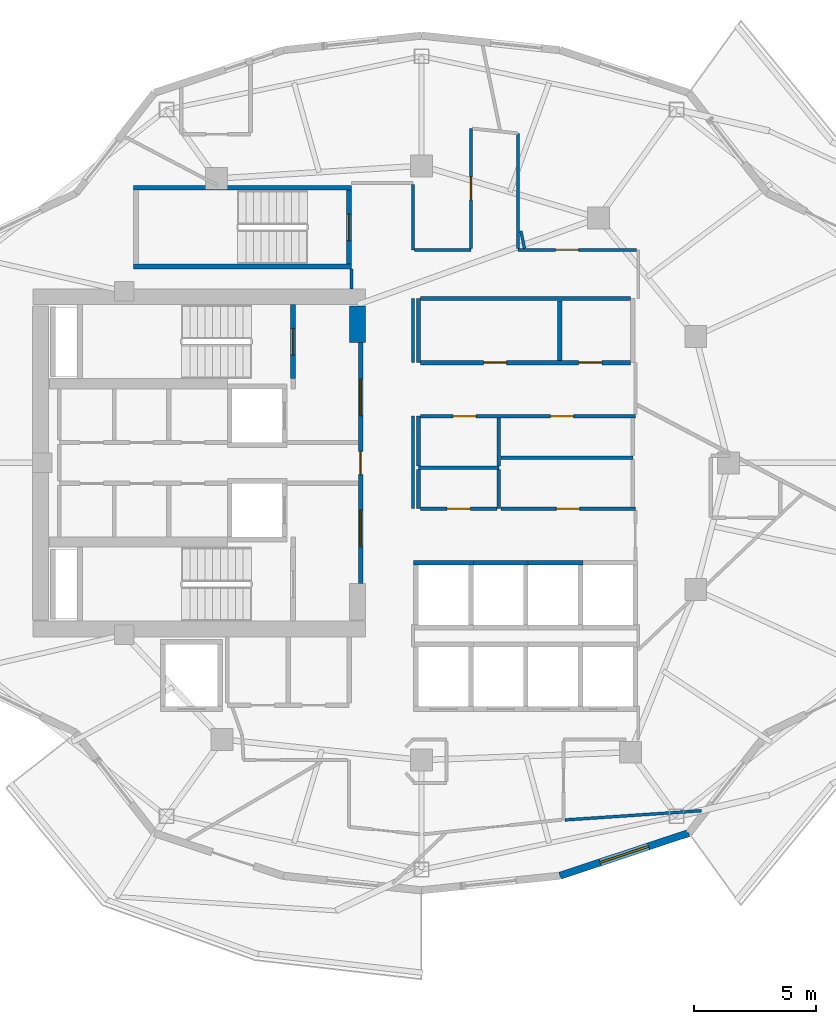
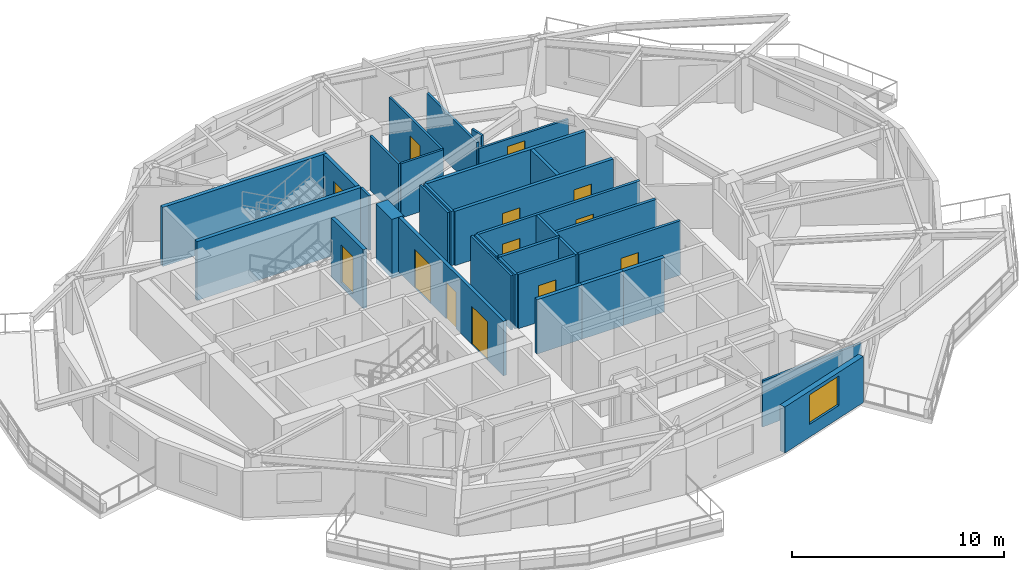
# One storey, part 5 of 10: 33 walls, 13 doors, 1 window, 14 openings.
"""IFC4 building model written with IfcOpenShell, lengths in metres."""

from ifc_helpers import new_model, si_unit, direction, frame, frame_2d, origin, place, context, subcontext, project, spatial, rectangle, extrude, material, layer, layer_set, type_object, element, fill, save


model = new_model("IFC4")

# Units and contexts
model_context = context("Model", 3, precision=1e-05, world=origin(), true_north=direction((0.0, 1.0)))
body_context = subcontext(model_context, "Body", "Model", "MODEL_VIEW")
ifc_project = project(units=[si_unit("LENGTHUNIT", "METRE"), si_unit("AREAUNIT", "SQUARE_METRE"), si_unit("VOLUMEUNIT", "CUBIC_METRE"), si_unit("PLANEANGLEUNIT", "RADIAN"), si_unit("MASSUNIT", "GRAM", prefix="KILO")], contexts=[model_context])

# Site, building, storey
site_placement = place(None, origin())
site = spatial("IfcSite", under=ifc_project, at=site_placement, CompositionType="ELEMENT")
building_placement = place(site_placement, origin())
building = spatial("IfcBuilding", under=site, at=building_placement, Name="Kolvaren Gate Tower and Convention Centre", CompositionType="ELEMENT")
storey_placement = place(building_placement, frame((0.0, 0.0, 152.89990234375)))
storey = spatial("IfcBuildingStorey", under=building, at=storey_placement, Name="L39", CompositionType="ELEMENT", Elevation=152.89990234375)

# Wall, openings, doors
ifc_material_1 = material(Name="Autoclaved Aerated Masonry Blockwork Class 4 (4.0 MPa)", Category="masonry")
ifc_layer_1 = layer(ifc_material_1, 0.179931640625)
ifc_layer_set_1 = layer_set([ifc_layer_1], Name="Autoclaved Aerated Masonry Blockwork Class 4 (4.0 MPa)")
wall_type_1 = type_object("IfcWallType", Name="ARCH-WL-COMP-180", PredefinedType="SOLIDWALL", material=ifc_layer_set_1)
wall_1_placement = place(storey_placement, frame((27.6201171875, 22.050048828125, 0.0), z_axis=(0.0, 0.0, 1.0), x_axis=(0.0, 1.0, 0.0)))
wall_1 = element("IfcWall", 1, at=wall_1_placement, inside=storey, type_object=wall_type_1, Name="Interior Partition WL-L39-INT-003", PredefinedType="SOLIDWALL", context=body_context, shape_type="SweptSolid", body=[
    extrude(rectangle(XDim=9.89990234375, YDim=0.179931640625, at=frame_2d((4.949951171875, 0.0))), origin(), (0.0, 0.0, 1.0), 3.130126953125),
])
opening_1_placement = place(wall_1_placement, frame((4.47509765625, 0.0, 0.0)))
opening_1 = element("IfcOpeningElement", 2, at=opening_1_placement, cuts=wall_1, Name="Opening DR-01", PredefinedType="OPENING", context=body_context, shape_type="SweptSolid", body=[
    extrude(rectangle(XDim=0.949951171875, YDim=2.10009765625, at=frame_2d((0.47509765625, 1.050048828125))), frame((0.0, 0.099853515625, 0.0), z_axis=(0.0, -1.0, 0.0), x_axis=(1.0, 0.0, 0.0)), (0.0, 0.0, 1.0), 0.199951171875),
])
opening_2_placement = place(wall_1_placement, frame((6.889892578125, 0.0, 0.0)))
opening_2 = element("IfcOpeningElement", 3, at=opening_2_placement, cuts=wall_1, Name="Opening DL-01", PredefinedType="OPENING", context=body_context, shape_type="SweptSolid", body=[
    extrude(rectangle(XDim=1.5, YDim=2.199951171875, at=frame_2d((0.75, 1.10009765625))), frame((0.0, 0.099853515625, 0.0), z_axis=(0.0, -1.0, 0.0), x_axis=(1.0, 0.0, 0.0)), (0.0, 0.0, 1.0), 0.199951171875),
])
opening_3_placement = place(wall_1_placement, frame((1.510009765625, 0.0, 0.0)))
opening_3 = element("IfcOpeningElement", 4, at=opening_3_placement, cuts=wall_1, Name="Opening DL-01", PredefinedType="OPENING", context=body_context, shape_type="SweptSolid", body=[
    extrude(rectangle(XDim=1.5, YDim=2.199951171875, at=frame_2d((0.75, 1.10009765625))), frame((0.0, 0.099853515625, 0.0), z_axis=(0.0, -1.0, 0.0), x_axis=(1.0, 0.0, 0.0)), (0.0, 0.0, 1.0), 0.199951171875),
])
ifc_material_2 = material(Name="Painted Architectural Steelwork ASTM A500 Grade C 345 MPa", Category="steel")
door_type_1 = type_object("IfcDoorType", Name="ARCH-DR-LOBBY-1500", OperationType="DOUBLE_DOOR_SINGLE_SWING", PredefinedType="DOOR", material=ifc_material_2)
door_1_placement = place(opening_2_placement, origin())
door_1 = element("IfcDoor", 5, at=door_1_placement, inside=storey, type_object=door_type_1, Name="North Firefighting Stair and Lift Lobby Door", OperationType="DOUBLE_DOOR_SINGLE_SWING", OverallHeight=2.199951171875, OverallWidth=1.5, PredefinedType="DOOR", context=body_context, shape_type="SweptSolid", body=[
    extrude(rectangle(XDim=1.5, YDim=2.199951171875, at=frame_2d((0.75, 1.10009765625))), frame((0.0, 0.02490234375, 0.0), z_axis=(0.0, -1.0, 0.0), x_axis=(1.0, 0.0, 0.0)), (0.0, 0.0, 1.0), 0.050048828125),
])
fill(opening_2, door_1)
door_2_placement = place(opening_3_placement, origin())
door_2 = element("IfcDoor", 6, at=door_2_placement, inside=storey, type_object=door_type_1, Name="South Firefighting Stair and Lift Lobby Door", OperationType="DOUBLE_DOOR_SINGLE_SWING", OverallHeight=2.199951171875, OverallWidth=1.5, PredefinedType="DOOR", context=body_context, shape_type="SweptSolid", body=[
    extrude(rectangle(XDim=1.5, YDim=2.199951171875, at=frame_2d((0.75, 1.10009765625))), frame((0.0, 0.02490234375, 0.0), z_axis=(0.0, -1.0, 0.0), x_axis=(1.0, 0.0, 0.0)), (0.0, 0.0, 1.0), 0.050048828125),
])
fill(opening_3, door_2)
door_type_2 = type_object("IfcDoorType", Name="ARCH-DR-RISER-950", OperationType="SINGLE_SWING_RIGHT", PredefinedType="DOOR", material=ifc_material_2)
door_3_placement = place(opening_1_placement, origin())
door_3 = element("IfcDoor", 7, at=door_3_placement, inside=storey, type_object=door_type_2, Name="Central MEP Service Corridor Door", OperationType="SINGLE_SWING_LEFT", OverallHeight=2.10009765625, OverallWidth=0.949951171875, PredefinedType="DOOR", context=body_context, shape_type="SweptSolid", body=[
    extrude(rectangle(XDim=0.949951171875, YDim=2.10009765625, at=frame_2d((0.47509765625, 1.050048828125))), frame((0.0, 0.02490234375, 0.0), z_axis=(0.0, -1.0, 0.0), x_axis=(1.0, 0.0, 0.0)), (0.0, 0.0, 1.0), 0.050048828125),
])
fill(opening_1, door_3)

wall_2_placement = place(storey_placement, frame((30.076904296875, 31.1201171875, 0.0), z_axis=(0.0, 0.0, 1.0), x_axis=(1.0, 0.0, 0.0)))
wall_2 = element("IfcWall", 8, at=wall_2_placement, inside=storey, type_object=wall_type_1, Name="Interior Partition WL-L39-INT-025", PredefinedType="SOLIDWALL", context=body_context, shape_type="SweptSolid", body=[
    extrude(rectangle(XDim=8.631103515625, YDim=0.179931640625, at=frame_2d((4.3154296875, 0.0))), origin(), (0.0, 0.0, 1.0), 3.130126953125),
])
opening_4_placement = place(wall_2_placement, frame((2.591552734375, 0.0, 0.0)))
opening_4 = element("IfcOpeningElement", 9, at=opening_4_placement, cuts=wall_2, Name="Opening DR-01", PredefinedType="OPENING", context=body_context, shape_type="SweptSolid", body=[
    extrude(rectangle(XDim=0.949951171875, YDim=2.10009765625, at=frame_2d((0.47509765625, 1.050048828125))), frame((0.0, 0.099853515625, 0.0), z_axis=(0.0, -1.0, 0.0), x_axis=(1.0, 0.0, 0.0)), (0.0, 0.0, 1.0), 0.199951171875),
])
opening_5_placement = place(wall_2_placement, frame((6.4970703125, 0.0, 0.0)))
opening_5 = element("IfcOpeningElement", 10, at=opening_5_placement, cuts=wall_2, Name="Opening DR-01", PredefinedType="OPENING", context=body_context, shape_type="SweptSolid", body=[
    extrude(rectangle(XDim=0.949951171875, YDim=2.10009765625, at=frame_2d((0.47509765625, 1.050048828125))), frame((0.0, 0.099853515625, 0.0), z_axis=(0.0, -1.0, 0.0), x_axis=(1.0, 0.0, 0.0)), (0.0, 0.0, 1.0), 0.199951171875),
])
door_4_placement = place(opening_4_placement, origin())
door_4 = element("IfcDoor", 11, at=door_4_placement, inside=storey, type_object=door_type_2, Name="Steward Supply Store Door", OperationType="SINGLE_SWING_RIGHT", OverallHeight=2.10009765625, OverallWidth=0.949951171875, PredefinedType="DOOR", context=body_context, shape_type="SweptSolid", body=[
    extrude(rectangle(XDim=0.949951171875, YDim=2.10009765625, at=frame_2d((0.47509765625, 1.050048828125))), frame((0.0, 0.02490234375, 0.0), z_axis=(0.0, -1.0, 0.0), x_axis=(1.0, 0.0, 0.0)), (0.0, 0.0, 1.0), 0.050048828125),
])
fill(opening_4, door_4)
door_5_placement = place(opening_5_placement, origin())
door_5 = element("IfcDoor", 12, at=door_5_placement, inside=storey, type_object=door_type_2, Name="Floor Telecom Switch Room Door", OperationType="SINGLE_SWING_LEFT", OverallHeight=2.10009765625, OverallWidth=0.949951171875, PredefinedType="DOOR", context=body_context, shape_type="SweptSolid", body=[
    extrude(rectangle(XDim=0.949951171875, YDim=2.10009765625, at=frame_2d((0.47509765625, 1.050048828125))), frame((0.0, 0.02490234375, 0.0), z_axis=(0.0, -1.0, 0.0), x_axis=(1.0, 0.0, 0.0)), (0.0, 0.0, 1.0), 0.050048828125),
])
fill(opening_5, door_5)

# Walls
wall_3_placement = place(storey_placement, frame((30.076904296875, 33.75, 0.0), z_axis=(0.0, 0.0, 1.0), x_axis=(1.0, 0.0, 0.0)))
element("IfcWall", 13, at=wall_3_placement, inside=storey, type_object=wall_type_1, Name="Interior Partition WL-L39-INT-026", PredefinedType="SOLIDWALL", context=body_context, shape_type="SweptSolid", body=[
    extrude(rectangle(XDim=8.631103515625, YDim=0.179931640625, at=frame_2d((4.3154296875, 0.0))), origin(), (0.0, 0.0, 1.0), 3.130126953125),
])
wall_4_placement = place(storey_placement, frame((35.800048828125, 31.2119140625, 0.0), z_axis=(0.0, 0.0, 1.0), x_axis=(0.0, 1.0, 0.0)))
element("IfcWall", 14, at=wall_4_placement, inside=storey, type_object=wall_type_1, Name="Interior Partition WL-L39-INT-027", PredefinedType="SOLIDWALL", context=body_context, shape_type="SweptSolid", body=[
    extrude(rectangle(XDim=2.446044921875, YDim=0.179931640625, at=frame_2d((1.22314453125, 0.0))), origin(), (0.0, 0.0, 1.0), 3.130126953125),
])
ifc_material_3 = material(Name="Fire-Rated Acoustic Gypsum Stud Partition", Category="gypsum")
ifc_layer_2 = layer(ifc_material_3, 0.1201171875)
ifc_layer_set_2 = layer_set([ifc_layer_2], Name="Fire-Rated Acoustic Gypsum Stud Partition")
wall_type_2 = type_object("IfcWallType", Name="ARCH-WL-PART-120", PredefinedType="PARTITIONING", material=ifc_layer_set_2)
wall_5_placement = place(storey_placement, frame((27.25, 34.152099609375, 0.0), z_axis=(0.0, 0.0, 1.0), x_axis=(0.0, 1.0, 0.0)))
element("IfcWall", 15, at=wall_5_placement, inside=storey, type_object=wall_type_2, Name="Interior Partition WL-L39-INT-038", PredefinedType="PARTITIONING", context=body_context, shape_type="SweptSolid", body=[
    extrude(rectangle(XDim=0.805908203125, YDim=0.1201171875, at=frame_2d((0.40283203125, 0.0))), origin(), (0.0, 0.0, 1.0), 3.130126953125),
])
wall_6_placement = place(storey_placement, frame((29.780029296875, 25.1201171875, 0.0), z_axis=(0.0, 0.0, 1.0), x_axis=(0.0, 1.0, 0.0)))
element("IfcWall", 16, at=wall_6_placement, inside=storey, type_object=wall_type_2, Name="Interior Partition WL-L39-INT-041", PredefinedType="PARTITIONING", context=body_context, shape_type="SweptSolid", body=[
    extrude(rectangle(XDim=3.7998046875, YDim=0.1201171875, at=frame_2d((1.89990234375, 0.0))), origin(), (0.0, 0.0, 1.0), 3.130126953125),
])
wall_7_placement = place(storey_placement, frame((29.780029296875, 31.1201171875, 0.0), z_axis=(0.0, 0.0, 1.0), x_axis=(0.0, 1.0, 0.0)))
element("IfcWall", 17, at=wall_7_placement, inside=storey, type_object=wall_type_2, Name="Interior Partition WL-L39-INT-042", PredefinedType="PARTITIONING", context=body_context, shape_type="SweptSolid", body=[
    extrude(rectangle(XDim=2.6298828125, YDim=0.1201171875, at=frame_2d((1.31494140625, 0.0))), origin(), (0.0, 0.0, 1.0), 3.130126953125),
])
wall_8_placement = place(storey_placement, frame((29.780029296875, 35.75, 0.0), z_axis=(0.0, 0.0, 1.0), x_axis=(0.0, 1.0, 0.0)))
element("IfcWall", 18, at=wall_8_placement, inside=storey, type_object=wall_type_2, Name="Interior Partition WL-L39-INT-043", PredefinedType="PARTITIONING", context=body_context, shape_type="SweptSolid", body=[
    extrude(rectangle(XDim=2.68798828125, YDim=0.1201171875, at=frame_2d((1.343994140625, 0.0))), origin(), (0.0, 0.0, 1.0), 3.130126953125),
])
wall_9_placement = place(storey_placement, frame((29.842041015625, 35.75, 0.0), z_axis=(0.0, 0.0, 1.0), x_axis=(1.0, 0.0, 0.0)))
element("IfcWall", 19, at=wall_9_placement, inside=storey, type_object=wall_type_2, Name="Interior Partition WL-L39-INT-044", PredefinedType="PARTITIONING", context=body_context, shape_type="SweptSolid", body=[
    extrude(rectangle(XDim=2.307861328125, YDim=0.1201171875, at=frame_2d((1.15380859375, 0.0))), origin(), (0.0, 0.0, 1.0), 3.130126953125),
])

# Wall, opening, door
wall_10_placement = place(storey_placement, frame((34.080078125, 35.75, 0.0), z_axis=(0.0, 0.0, 1.0), x_axis=(1.0, 0.0, 0.0)))
wall_10 = element("IfcWall", 20, at=wall_10_placement, inside=storey, type_object=wall_type_2, Name="Interior Partition WL-L39-INT-045", PredefinedType="PARTITIONING", context=body_context, shape_type="SweptSolid", body=[
    extrude(rectangle(XDim=4.8779296875, YDim=0.1201171875, at=frame_2d((2.43896484375, 0.0))), origin(), (0.0, 0.0, 1.0), 2.505126953125),
])
opening_6_placement = place(wall_10_placement, frame((1.5439453125, 0.0, 0.0)))
opening_6 = element("IfcOpeningElement", 21, at=opening_6_placement, cuts=wall_10, Name="Opening DR-01", PredefinedType="OPENING", context=body_context, shape_type="SweptSolid", body=[
    extrude(rectangle(XDim=0.949951171875, YDim=2.10009765625, at=frame_2d((0.47509765625, 1.050048828125))), frame((0.0, 0.070068359375, 0.0), z_axis=(0.0, -1.0, 0.0), x_axis=(1.0, 0.0, 0.0)), (0.0, 0.0, 1.0), 0.14013671875),
])
door_6_placement = place(opening_6_placement, origin())
door_6 = element("IfcDoor", 22, at=door_6_placement, inside=storey, type_object=door_type_2, Name="Hotel Botanical Clubroom Door", OperationType="SINGLE_SWING_LEFT", OverallHeight=2.10009765625, OverallWidth=0.949951171875, PredefinedType="DOOR", context=body_context, shape_type="SweptSolid", body=[
    extrude(rectangle(XDim=0.949951171875, YDim=2.10009765625, at=frame_2d((0.47509765625, 1.050048828125))), frame((0.0, 0.02490234375, 0.0), z_axis=(0.0, -1.0, 0.0), x_axis=(1.0, 0.0, 0.0)), (0.0, 0.0, 1.0), 0.050048828125),
])
fill(opening_6, door_6)

wall_11_placement = place(storey_placement, frame((32.14990234375, 35.81201171875, 0.0), z_axis=(0.0, 0.0, 1.0), x_axis=(0.0, 1.0, 0.0)))
wall_11 = element("IfcWall", 23, at=wall_11_placement, inside=storey, type_object=wall_type_2, Name="Interior Partition WL-L39-INT-046", PredefinedType="PARTITIONING", context=body_context, shape_type="SweptSolid", body=[
    extrude(rectangle(XDim=4.925048828125, YDim=0.1201171875, at=frame_2d((2.46240234375, 0.0))), origin(), (0.0, 0.0, 1.0), 3.130126953125),
])
opening_7_placement = place(wall_11_placement, frame((1.987548828125, 0.0, 0.0)))
opening_7 = element("IfcOpeningElement", 24, at=opening_7_placement, cuts=wall_11, Name="Opening DR-01", PredefinedType="OPENING", context=body_context, shape_type="SweptSolid", body=[
    extrude(rectangle(XDim=0.949951171875, YDim=2.10009765625, at=frame_2d((0.47509765625, 1.050048828125))), frame((0.0, 0.070068359375, 0.0), z_axis=(0.0, -1.0, 0.0), x_axis=(1.0, 0.0, 0.0)), (0.0, 0.0, 1.0), 0.14013671875),
])
door_7_placement = place(opening_7_placement, origin())
door_7 = element("IfcDoor", 25, at=door_7_placement, inside=storey, type_object=door_type_2, Name="Hotel Guest Room (HTL-L39-07) Door", OperationType="SINGLE_SWING_RIGHT", OverallHeight=2.10009765625, OverallWidth=0.949951171875, PredefinedType="DOOR", context=body_context, shape_type="SweptSolid", body=[
    extrude(rectangle(XDim=0.949951171875, YDim=2.10009765625, at=frame_2d((0.47509765625, 1.050048828125))), frame((0.0, 0.02490234375, 0.0), z_axis=(0.0, -1.0, 0.0), x_axis=(1.0, 0.0, 0.0)), (0.0, 0.0, 1.0), 0.050048828125),
])
fill(opening_7, door_7)

# Walls
wall_12_placement = place(storey_placement, frame((34.080078125, 35.81201171875, 0.0), z_axis=(0.0, 0.0, 1.0), x_axis=(0.0, 1.0, 0.0)))
element("IfcWall", 26, at=wall_12_placement, inside=storey, type_object=wall_type_2, Name="Interior Partition WL-L39-INT-048", PredefinedType="PARTITIONING", context=body_context, shape_type="SweptSolid", body=[
    extrude(rectangle(XDim=4.721923828125, YDim=0.1201171875, at=frame_2d((2.36083984375, 0.0))), origin(), (0.0, 0.0, 1.0), 2.81201171875),
])
wall_13_placement = place(storey_placement, frame((36.011962890625, 12.34033203125, 0.0), z_axis=(0.0, 0.0, 1.0), x_axis=(0.997733146572, 0.067294637466, 0.0)))
element("IfcWall", 27, at=wall_13_placement, inside=storey, type_object=wall_type_2, Name="Interior Partition WL-L39-INT-060", PredefinedType="PARTITIONING", context=body_context, shape_type="SweptSolid", body=[
    extrude(rectangle(XDim=5.61962890625, YDim=0.1201171875, at=frame_2d((2.809814453125, 0.0))), origin(), (0.0, 0.0, 1.0), 2.653076171875),
])
wall_14_placement = place(storey_placement, frame((34.201904296875, 36.520751953125, 0.0), z_axis=(0.0, 0.0, 1.0), x_axis=(0.202081256143, -0.979368758903, 0.0)))
element("IfcWall", 28, at=wall_14_placement, inside=storey, type_object=wall_type_2, Name="Interior Partition WL-L39-INT-066", PredefinedType="PARTITIONING", context=body_context, shape_type="SweptSolid", body=[
    extrude(rectangle(XDim=0.7236328125, YDim=0.1201171875, at=frame_2d((0.36181640625, 0.0))), origin(), (0.0, 0.0, 1.0), 3.130126953125),
])
ifc_layer_3 = layer(ifc_material_1, 0.199951171875)
ifc_layer_set_3 = layer_set([ifc_layer_3], Name="Autoclaved Aerated Masonry Blockwork Class 4 (4.0 MPa)")
wall_type_3 = type_object("IfcWallType", Name="ARCH-WL-SHAFT-200", PredefinedType="SOLIDWALL", material=ifc_layer_set_3)
wall_15_placement = place(storey_placement, frame((29.800048828125, 22.89990234375, 0.0), z_axis=(0.0, 0.0, 1.0), x_axis=(1.0, 0.0, 0.0)))
element("IfcWall", 29, at=wall_15_placement, inside=storey, type_object=wall_type_3, Name="Elevator PL-09 L39 Fire Shaft Wall N", PredefinedType="SOLIDWALL", context=body_context, shape_type="SweptSolid", body=[
    extrude(rectangle(XDim=2.449951171875, YDim=0.199951171875, at=frame_2d((1.22509765625, 0.0))), origin(), (0.0, 0.0, 1.0), 3.130126953125),
])
for number, where, z_axis, x_axis, name in (
    (30, (32.25, 22.89990234375, 0.0), (0.0, 0.0, 1.0), (1.0, 0.0, 0.0), "Elevator PL-10 L39 Fire Shaft Wall N"),
    (31, (34.5, 22.89990234375, 0.0), (0.0, 0.0, 1.0), (1.0, 0.0, 0.0), "Elevator PL-11 L39 Fire Shaft Wall N"),
):
    element("IfcWall", number, at=place(storey_placement, frame(where, z_axis=z_axis, x_axis=x_axis)), inside=storey, type_object=wall_type_3, Name=name, PredefinedType="SOLIDWALL", context=body_context, shape_type="SweptSolid", body=[
        extrude(rectangle(XDim=2.25, YDim=0.199951171875, at=frame_2d((1.125, 0.0))), origin(), (0.0, 0.0, 1.0), 3.130126953125),
    ])

# Wall, opening, window
ifc_material_4 = material(Name="Piedmont Cream Honed Limestone Cladding", Category="masonry")
ifc_layer_4 = layer(ifc_material_4, 0.300048828125)
ifc_layer_set_4 = layer_set([ifc_layer_4], Name="Piedmont Cream Honed Limestone Cladding")
wall_type_4 = type_object("IfcWallType", Name="ARCH-WL-STONE-300", PredefinedType="SOLIDWALL", material=ifc_layer_set_4)
wall_16_placement = place(storey_placement, frame((35.802734375, 10.048095703125, 0.0), z_axis=(0.0, 0.0, 1.0), x_axis=(0.949246811547, 0.314532177636, 0.0)))
wall_16 = element("IfcWall", 32, at=wall_16_placement, inside=storey, type_object=wall_type_4, Name="Tower L39 Honed Stone Spandrel Wall EW-19", PredefinedType="SOLIDWALL", context=body_context, shape_type="SweptSolid", body=[
    extrude(rectangle(XDim=5.573974609375, YDim=0.300048828125, at=frame_2d((2.787109375, 0.0))), origin(), (0.0, 0.0, 1.0), 2.653076171875),
])
opening_8_placement = place(wall_16_placement, frame((1.737060546875, 0.0, 0.739990234375)))
opening_8 = element("IfcOpeningElement", 33, at=opening_8_placement, cuts=wall_16, Name="Opening W-02", PredefinedType="OPENING", context=body_context, shape_type="SweptSolid", body=[
    extrude(rectangle(XDim=2.10009765625, YDim=1.699951171875, at=frame_2d((1.050048828125, 0.85009765625))), frame((0.0, 0.159912109375, 0.0), z_axis=(0.0, -1.0, 0.0), x_axis=(1.0, 0.0, 0.0)), (0.0, 0.0, 1.0), 0.320068359375),
])
ifc_material_5 = material(Name="Low-E Triple Insulated Glazing Unit 44 mm", Category="glass")
window_type = type_object("IfcWindowType", Name="ARCH-WN-HTL-2100", PartitioningType="SINGLE_PANEL", PredefinedType="WINDOW", material=ifc_material_5)
window_placement = place(opening_8_placement, origin())
window = element("IfcWindow", 34, at=window_placement, inside=storey, type_object=window_type, Name="Tower L39 Punched Stone Facade Window W-19", OverallHeight=1.699951171875, OverallWidth=2.10009765625, PartitioningType="SINGLE_PANEL", PredefinedType="WINDOW", context=body_context, shape_type="SweptSolid", body=[
    extrude(rectangle(XDim=2.10009765625, YDim=1.699951171875, at=frame_2d((1.050048828125, 0.85009765625))), frame((0.0, 0.030029296875, 0.0), z_axis=(0.0, -1.0, 0.0), x_axis=(1.0, 0.0, 0.0)), (0.0, 0.0, 1.0), 0.06005859375),
])
fill(opening_8, window)

# Walls
ifc_material_6 = material(Name="Moisture-Resistant Cement-Board Acoustic Partition", Category="gypsum")
ifc_layer_5 = layer(ifc_material_6, 0.14990234375)
ifc_layer_set_5 = layer_set([ifc_layer_5], Name="Moisture-Resistant Cement-Board Acoustic Partition")
wall_type_5 = type_object("IfcWallType", Name="ARCH-WL-WET-150", PredefinedType="PARTITIONING", material=ifc_layer_set_5)
wall_17_placement = place(storey_placement, frame((30.0, 26.800048828125, 0.0), z_axis=(0.0, 0.0, 1.0), x_axis=(1.0, 0.0, 0.0)))
element("IfcWall", 35, at=wall_17_placement, inside=storey, type_object=wall_type_5, Name="Interior Partition WL-L39-INT-016", PredefinedType="PARTITIONING", context=body_context, shape_type="SweptSolid", body=[
    extrude(rectangle(XDim=3.300048828125, YDim=0.14990234375, at=frame_2d((1.64990234375, 0.0))), origin(), (0.0, 0.0, 1.0), 3.130126953125),
])
wall_18_placement = place(storey_placement, frame((30.0, 25.1201171875, 0.0), z_axis=(0.0, 0.0, 1.0), x_axis=(0.0, 1.0, 0.0)))
element("IfcWall", 36, at=wall_18_placement, inside=storey, type_object=wall_type_5, Name="Interior Partition WL-L39-INT-017", PredefinedType="PARTITIONING", context=body_context, shape_type="SweptSolid", body=[
    extrude(rectangle(XDim=1.602783203125, YDim=0.14990234375, at=frame_2d((0.80126953125, 0.0))), origin(), (0.0, 0.0, 1.0), 3.130126953125),
])
wall_19_placement = place(storey_placement, frame((30.0, 26.876953125, 0.0), z_axis=(0.0, 0.0, 1.0), x_axis=(0.0, 1.0, 0.0)))
element("IfcWall", 37, at=wall_19_placement, inside=storey, type_object=wall_type_5, Name="Interior Partition WL-L39-INT-017 (2)", PredefinedType="PARTITIONING", context=body_context, shape_type="SweptSolid", body=[
    extrude(rectangle(XDim=2.04296875, YDim=0.14990234375, at=frame_2d((1.021484375, 0.0))), origin(), (0.0, 0.0, 1.0), 3.130126953125),
])
wall_20_placement = place(storey_placement, frame((30.0, 31.1201171875, 0.0), z_axis=(0.0, 0.0, 1.0), x_axis=(0.0, 1.0, 0.0)))
element("IfcWall", 38, at=wall_20_placement, inside=storey, type_object=wall_type_5, Name="Interior Partition WL-L39-INT-018", PredefinedType="PARTITIONING", context=body_context, shape_type="SweptSolid", body=[
    extrude(rectangle(XDim=2.6298828125, YDim=0.14990234375, at=frame_2d((1.31494140625, 0.0))), origin(), (0.0, 0.0, 1.0), 3.130126953125),
])

# Wall, openings, doors
wall_21_placement = place(storey_placement, frame((30.076904296875, 28.919921875, 0.0), z_axis=(0.0, 0.0, 1.0), x_axis=(1.0, 0.0, 0.0)))
wall_21 = element("IfcWall", 39, at=wall_21_placement, inside=storey, type_object=wall_type_5, Name="Interior Partition WL-L39-INT-019", PredefinedType="PARTITIONING", context=body_context, shape_type="SweptSolid", body=[
    extrude(rectangle(XDim=8.822998046875, YDim=0.14990234375, at=frame_2d((4.41162109375, 0.0))), origin(), (0.0, 0.0, 1.0), 3.130126953125),
])
opening_9_placement = place(wall_21_placement, frame((1.341552734375, 0.0, 0.0)))
opening_9 = element("IfcOpeningElement", 40, at=opening_9_placement, cuts=wall_21, Name="Opening DR-01", PredefinedType="OPENING", context=body_context, shape_type="SweptSolid", body=[
    extrude(rectangle(XDim=0.949951171875, YDim=2.10009765625, at=frame_2d((0.47509765625, 1.050048828125))), frame((0.0, 0.0849609375, 0.0), z_axis=(0.0, -1.0, 0.0), x_axis=(1.0, 0.0, 0.0)), (0.0, 0.0, 1.0), 0.169921875),
])
opening_10_placement = place(wall_21_placement, frame((5.343017578125, 0.0, 0.0)))
opening_10 = element("IfcOpeningElement", 41, at=opening_10_placement, cuts=wall_21, Name="Opening DR-01", PredefinedType="OPENING", context=body_context, shape_type="SweptSolid", body=[
    extrude(rectangle(XDim=0.949951171875, YDim=2.10009765625, at=frame_2d((0.47509765625, 1.050048828125))), frame((0.0, 0.0849609375, 0.0), z_axis=(0.0, -1.0, 0.0), x_axis=(1.0, 0.0, 0.0)), (0.0, 0.0, 1.0), 0.169921875),
])
door_8_placement = place(opening_9_placement, origin())
door_8 = element("IfcDoor", 42, at=door_8_placement, inside=storey, type_object=door_type_2, Name="Accessible North Washroom Door", OperationType="SINGLE_SWING_RIGHT", OverallHeight=2.10009765625, OverallWidth=0.949951171875, PredefinedType="DOOR", context=body_context, shape_type="SweptSolid", body=[
    extrude(rectangle(XDim=0.949951171875, YDim=2.10009765625, at=frame_2d((0.47509765625, 1.050048828125))), frame((0.0, 0.02490234375, 0.0), z_axis=(0.0, -1.0, 0.0), x_axis=(1.0, 0.0, 0.0)), (0.0, 0.0, 1.0), 0.050048828125),
])
fill(opening_9, door_8)
door_9_placement = place(opening_10_placement, origin())
door_9 = element("IfcDoor", 43, at=door_9_placement, inside=storey, type_object=door_type_2, Name="Hotel Housekeeping and Linen Store Door", OperationType="SINGLE_SWING_RIGHT", OverallHeight=2.10009765625, OverallWidth=0.949951171875, PredefinedType="DOOR", context=body_context, shape_type="SweptSolid", body=[
    extrude(rectangle(XDim=0.949951171875, YDim=2.10009765625, at=frame_2d((0.47509765625, 1.050048828125))), frame((0.0, 0.02490234375, 0.0), z_axis=(0.0, -1.0, 0.0), x_axis=(1.0, 0.0, 0.0)), (0.0, 0.0, 1.0), 0.050048828125),
])
fill(opening_10, door_9)

# Walls
wall_22_placement = place(storey_placement, frame((33.300048828125, 25.1201171875, 0.0), z_axis=(0.0, 0.0, 1.0), x_axis=(0.0, 1.0, 0.0)))
element("IfcWall", 44, at=wall_22_placement, inside=storey, type_object=wall_type_5, Name="Interior Partition WL-L39-INT-020", PredefinedType="PARTITIONING", context=body_context, shape_type="SweptSolid", body=[
    extrude(rectangle(XDim=1.602783203125, YDim=0.14990234375, at=frame_2d((0.80126953125, 0.0))), origin(), (0.0, 0.0, 1.0), 3.130126953125),
])
wall_23_placement = place(storey_placement, frame((33.300048828125, 26.876953125, 0.0), z_axis=(0.0, 0.0, 1.0), x_axis=(0.0, 1.0, 0.0)))
element("IfcWall", 45, at=wall_23_placement, inside=storey, type_object=wall_type_5, Name="Interior Partition WL-L39-INT-020 (2)", PredefinedType="PARTITIONING", context=body_context, shape_type="SweptSolid", body=[
    extrude(rectangle(XDim=1.966064453125, YDim=0.14990234375, at=frame_2d((0.98291015625, 0.0))), origin(), (0.0, 0.0, 1.0), 3.130126953125),
])

# Wall, opening, door
wall_24_placement = place(storey_placement, frame((30.076904296875, 25.1201171875, 0.0), z_axis=(0.0, 0.0, 1.0), x_axis=(1.0, 0.0, 0.0)))
wall_24 = element("IfcWall", 46, at=wall_24_placement, inside=storey, type_object=wall_type_5, Name="Interior Partition WL-L39-INT-021", PredefinedType="PARTITIONING", context=body_context, shape_type="SweptSolid", body=[
    extrude(rectangle(XDim=3.14599609375, YDim=0.14990234375, at=frame_2d((1.572998046875, 0.0))), origin(), (0.0, 0.0, 1.0), 3.130126953125),
])
opening_11_placement = place(wall_24_placement, frame((1.097900390625, 0.0, 0.0)))
opening_11 = element("IfcOpeningElement", 47, at=opening_11_placement, cuts=wall_24, Name="Opening DR-01", PredefinedType="OPENING", context=body_context, shape_type="SweptSolid", body=[
    extrude(rectangle(XDim=0.949951171875, YDim=2.10009765625, at=frame_2d((0.47509765625, 1.050048828125))), frame((0.0, 0.0849609375, 0.0), z_axis=(0.0, -1.0, 0.0), x_axis=(1.0, 0.0, 0.0)), (0.0, 0.0, 1.0), 0.169921875),
])
door_10_placement = place(opening_11_placement, origin())
door_10 = element("IfcDoor", 48, at=door_10_placement, inside=storey, type_object=door_type_2, Name="South Visitor Washroom Door", OperationType="SINGLE_SWING_LEFT", OverallHeight=2.10009765625, OverallWidth=0.949951171875, PredefinedType="DOOR", context=body_context, shape_type="SweptSolid", body=[
    extrude(rectangle(XDim=0.949951171875, YDim=2.10009765625, at=frame_2d((0.47509765625, 1.050048828125))), frame((0.0, 0.02490234375, 0.0), z_axis=(0.0, -1.0, 0.0), x_axis=(1.0, 0.0, 0.0)), (0.0, 0.0, 1.0), 0.050048828125),
])
fill(opening_11, door_10)

wall_25_placement = place(storey_placement, frame((33.376953125, 25.1201171875, 0.0), z_axis=(0.0, 0.0, 1.0), x_axis=(1.0, 0.0, 0.0)))
wall_25 = element("IfcWall", 49, at=wall_25_placement, inside=storey, type_object=wall_type_5, Name="Interior Partition WL-L39-INT-021 (2)", PredefinedType="PARTITIONING", context=body_context, shape_type="SweptSolid", body=[
    extrude(rectangle(XDim=5.52294921875, YDim=0.14990234375, at=frame_2d((2.761474609375, 0.0))), origin(), (0.0, 0.0, 1.0), 3.130126953125),
])
opening_12_placement = place(wall_25_placement, frame((2.28662109375, 0.0, 0.0)))
opening_12 = element("IfcOpeningElement", 50, at=opening_12_placement, cuts=wall_25, Name="Opening DR-01", PredefinedType="OPENING", context=body_context, shape_type="SweptSolid", body=[
    extrude(rectangle(XDim=0.949951171875, YDim=2.10009765625, at=frame_2d((0.47509765625, 1.050048828125))), frame((0.0, 0.0849609375, 0.0), z_axis=(0.0, -1.0, 0.0), x_axis=(1.0, 0.0, 0.0)), (0.0, 0.0, 1.0), 0.169921875),
])
door_11_placement = place(opening_12_placement, origin())
door_11 = element("IfcDoor", 51, at=door_11_placement, inside=storey, type_object=door_type_2, Name="Floor Coffee Pantry Door", OperationType="SINGLE_SWING_LEFT", OverallHeight=2.10009765625, OverallWidth=0.949951171875, PredefinedType="DOOR", context=body_context, shape_type="SweptSolid", body=[
    extrude(rectangle(XDim=0.949951171875, YDim=2.10009765625, at=frame_2d((0.47509765625, 1.050048828125))), frame((0.0, 0.02490234375, 0.0), z_axis=(0.0, -1.0, 0.0), x_axis=(1.0, 0.0, 0.0)), (0.0, 0.0, 1.0), 0.050048828125),
])
fill(opening_12, door_11)

# Walls
wall_26_placement = place(storey_placement, frame((33.376953125, 27.219970703125, 0.0), z_axis=(0.0, 0.0, 1.0), x_axis=(1.0, 0.0, 0.0)))
element("IfcWall", 52, at=wall_26_placement, inside=storey, type_object=wall_type_5, Name="Interior Partition WL-L39-INT-022", PredefinedType="PARTITIONING", context=body_context, shape_type="SweptSolid", body=[
    extrude(rectangle(XDim=5.423095703125, YDim=0.14990234375, at=frame_2d((2.71142578125, 0.0))), origin(), (0.0, 0.0, 1.0), 3.130126953125),
])
ifc_material_7 = material(Name="Concrete C60/75", Category="concrete")
ifc_layer_6 = layer(ifc_material_7, 0.64990234375)
ifc_layer_set_6 = layer_set([ifc_layer_6], Name="Concrete C60/75")
wall_type_6 = type_object("IfcWallType", Name="STR-WL-CORE-650", PredefinedType="SHEAR", material=ifc_layer_set_6)
wall_27_placement = place(storey_placement, frame((27.5, 31.949951171875, -0.27001953125), z_axis=(0.0, 0.0, 1.0), x_axis=(0.0, 1.0, 0.0)))
element("IfcWall", 53, at=wall_27_placement, inside=storey, type_object=wall_type_6, Name="Tower L39 Offset Core Shear Wall EN", PredefinedType="SHEAR", context=body_context, shape_type="SweptSolid", body=[
    extrude(rectangle(XDim=1.5, YDim=0.64990234375, at=frame_2d((0.75, 0.0))), origin(), (0.0, 0.0, 1.0), 3.400146484375),
])

# Wall, opening, door
ifc_material_8 = material(Name="Concrete C50/60", Category="concrete")
ifc_layer_7 = layer(ifc_material_8, 0.199951171875)
ifc_layer_set_7 = layer_set([ifc_layer_7], Name="Concrete C50/60")
wall_type_7 = type_object("IfcWallType", Name="STR-WL-SHAFT-200", PredefinedType="SHEAR", material=ifc_layer_set_7)
wall_28_placement = place(storey_placement, frame((24.85009765625, 30.4599609375, -0.27001953125), z_axis=(0.0, 0.0, 1.0), x_axis=(0.0, 1.0, 0.0)))
wall_28 = element("IfcWall", 54, at=wall_28_placement, inside=storey, type_object=wall_type_7, Name="Tower North Exit Stair ST-T1 L39 Structural Shear Enclosure Wall NEAR", PredefinedType="SHEAR", context=body_context, shape_type="SweptSolid", body=[
    extrude(rectangle(XDim=3.0380859375, YDim=0.199951171875, at=frame_2d((1.51904296875, 0.0))), origin(), (0.0, 0.0, 1.0), 3.400146484375),
])
opening_13_placement = place(wall_28_placement, frame((0.968994140625, 0.0, 0.27001953125)))
opening_13 = element("IfcOpeningElement", 55, at=opening_13_placement, cuts=wall_28, Name="Opening DS-01", PredefinedType="OPENING", context=body_context, shape_type="SweptSolid", body=[
    extrude(rectangle(XDim=1.10009765625, YDim=2.14990234375, at=frame_2d((0.550048828125, 1.074951171875))), frame((0.0, 0.10986328125, 0.0), z_axis=(0.0, -1.0, 0.0), x_axis=(1.0, 0.0, 0.0)), (0.0, 0.0, 1.0), 0.219970703125),
])
door_type_3 = type_object("IfcDoorType", Name="ARCH-DR-STAIR-1100", OperationType="SINGLE_SWING_LEFT", PredefinedType="DOOR", material=ifc_material_2)
door_12_placement = place(opening_13_placement, origin())
door_12 = element("IfcDoor", 56, at=door_12_placement, inside=storey, type_object=door_type_3, Name="Tower North Exit Stair ST-T1 L39 Fire Exit Stair Door", OperationType="SINGLE_SWING_LEFT", OverallHeight=2.14990234375, OverallWidth=1.10009765625, PredefinedType="DOOR", context=body_context, shape_type="SweptSolid", body=[
    extrude(rectangle(XDim=1.10009765625, YDim=2.14990234375, at=frame_2d((0.550048828125, 1.074951171875))), frame((0.0, 0.02490234375, 0.0), z_axis=(0.0, -1.0, 0.0), x_axis=(1.0, 0.0, 0.0)), (0.0, 0.0, 1.0), 0.050048828125),
])
fill(opening_13, door_12)

wall_29_placement = place(storey_placement, frame((27.14990234375, 35.159912109375, -0.27001953125), z_axis=(0.0, 0.0, 1.0), x_axis=(0.0, 1.0, 0.0)))
wall_29 = element("IfcWall", 57, at=wall_29_placement, inside=storey, type_object=wall_type_7, Name="Tower Mid-Zone Exit Stair ST-T3 L39 Structural Shear Enclosure Wall NEAR", PredefinedType="SHEAR", context=body_context, shape_type="SweptSolid", body=[
    extrude(rectangle(XDim=3.0400390625, YDim=0.199951171875, at=frame_2d((1.52001953125, 0.0))), origin(), (0.0, 0.0, 1.0), 3.400146484375),
])
opening_14_placement = place(wall_29_placement, frame((0.969970703125, 0.0, 0.27001953125)))
opening_14 = element("IfcOpeningElement", 58, at=opening_14_placement, cuts=wall_29, Name="Opening DS-01", PredefinedType="OPENING", context=body_context, shape_type="SweptSolid", body=[
    extrude(rectangle(XDim=1.10009765625, YDim=2.14990234375, at=frame_2d((0.550048828125, 1.074951171875))), frame((0.0, 0.10986328125, 0.0), z_axis=(0.0, -1.0, 0.0), x_axis=(1.0, 0.0, 0.0)), (0.0, 0.0, 1.0), 0.219970703125),
])
door_13_placement = place(opening_14_placement, origin())
door_13 = element("IfcDoor", 59, at=door_13_placement, inside=storey, type_object=door_type_3, Name="Tower Mid-Zone Exit Stair ST-T3 L39 Fire Exit Stair Door", OperationType="SINGLE_SWING_LEFT", OverallHeight=2.14990234375, OverallWidth=1.10009765625, PredefinedType="DOOR", context=body_context, shape_type="SweptSolid", body=[
    extrude(rectangle(XDim=1.10009765625, YDim=2.14990234375, at=frame_2d((0.550048828125, 1.074951171875))), frame((0.0, 0.02490234375, 0.0), z_axis=(0.0, -1.0, 0.0), x_axis=(1.0, 0.0, 0.0)), (0.0, 0.0, 1.0), 0.050048828125),
])
fill(opening_14, door_13)

# Walls
for number, where, z_axis, x_axis, name in (
    (60, (18.300048828125, 38.300048828125, -0.27001953125), (0.0, 0.0, 1.0), (1.0, 0.0, 0.0), "Tower Mid-Zone Exit Stair ST-T3 L39 Structural Shear Enclosure Wall LEFT"),
    (61, (18.300048828125, 35.06005859375, -0.27001953125), (0.0, 0.0, 1.0), (1.0, 0.0, 0.0), "Tower Mid-Zone Exit Stair ST-T3 L39 Structural Shear Enclosure Wall RGHT"),
):
    element("IfcWall", number, at=place(storey_placement, frame(where, z_axis=z_axis, x_axis=x_axis)), inside=storey, type_object=wall_type_7, Name=name, PredefinedType="SHEAR", context=body_context, shape_type="SweptSolid", body=[
        extrude(rectangle(XDim=8.949951171875, YDim=0.199951171875, at=frame_2d((4.47509765625, 0.0))), origin(), (0.0, 0.0, 1.0), 3.400146484375),
    ])

save(model, "model.ifc")
